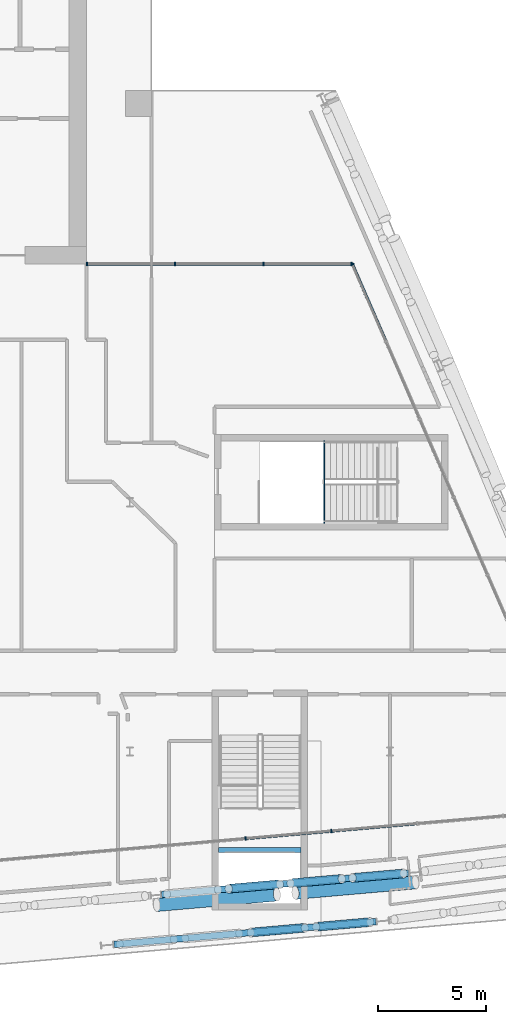
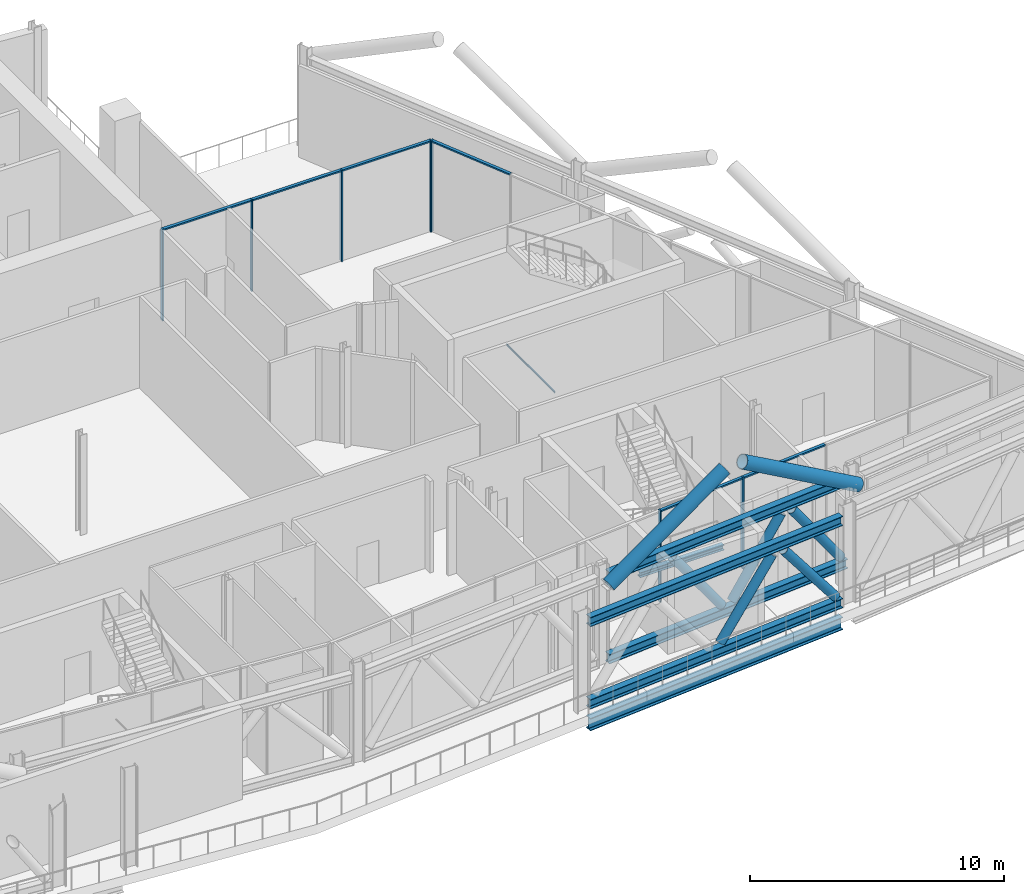
# One storey, part 8 of 35: 24 members, 3 beams, 3 elements without a shape of their own.
"""IFC4 building model written with IfcOpenShell, lengths in metres."""

from ifc_helpers import new_model, si_unit, direction, frame, origin, origin_2d, place, context, subcontext, project, spatial, rectangle, hollow_circle, i_section, extrude, material, material_profile, profile_set, type_object, element, aggregate, save


model = new_model("IFC4")

# Units and contexts
model_context = context("Model", 3, precision=1e-05, world=origin(), true_north=direction((0.0, 1.0)))
body_context = subcontext(model_context, "Body", "Model", "MODEL_VIEW")
ifc_project = project(units=[si_unit("LENGTHUNIT", "METRE"), si_unit("AREAUNIT", "SQUARE_METRE"), si_unit("VOLUMEUNIT", "CUBIC_METRE"), si_unit("PLANEANGLEUNIT", "RADIAN"), si_unit("MASSUNIT", "GRAM", prefix="KILO")], contexts=[model_context])

# Site, building, storey
site_placement = place(None, origin())
site = spatial("IfcSite", under=ifc_project, at=site_placement, CompositionType="ELEMENT")
building_placement = place(site_placement, origin())
building = spatial("IfcBuilding", under=site, at=building_placement, Name="Wharfspan Tower", CompositionType="ELEMENT")
storey_placement = place(building_placement, frame((0.0, 0.0, 202.300049)))
storey = spatial("IfcBuildingStorey", under=building, at=storey_placement, Name="L50", CompositionType="ELEMENT", Elevation=202.300049)

# Beams
ifc_material_1 = material(Name="Steel S355J2", Category="steel")
ifc_material_profile_1 = material_profile(ifc_material_1, i_section(OverallWidth=0.300049, OverallDepth=0.600098, WebThickness=0.015381, FlangeThickness=0.030029, FilletRadius=0.0271, at=origin_2d()))
ifc_profile_set_1 = profile_set([ifc_material_profile_1], Name="Steel S355J2")
beam_type_1 = type_object("IfcBeamType", Name="Edge beam HEB 600", PredefinedType="SPANDREL", material=ifc_profile_set_1)
beam_1_placement = place(storey_placement, frame((59.265625, 2.600342, -0.75), z_axis=(0.996195, 0.087155, 0.0), x_axis=(-0.087155, 0.996195, 0.0)))
element("IfcBeam", 1, at=beam_1_placement, inside=storey, type_object=beam_type_1, Name="Edge beam S2 L50 PS2.1 to PS2.2", PredefinedType="SPANDREL", context=body_context, shape_type="SweptSolid", body=[
    extrude(i_section(OverallWidth=0.300049, OverallDepth=0.600098, WebThickness=0.015381, FlangeThickness=0.030029, FilletRadius=0.0271, at=origin_2d()), origin(), (0.0, 0.0, 1.0), 12.137695),
])
ifc_material_profile_2 = material_profile(ifc_material_1, i_section(OverallWidth=0.045898, OverallDepth=0.080078, WebThickness=0.003906, FlangeThickness=0.005127, FilletRadius=0.004883, at=origin_2d()))
ifc_profile_set_2 = profile_set([ifc_material_profile_2], Name="Steel S355J2")
beam_type_2 = type_object("IfcBeamType", Name="Flight foot beam IPE 80", PredefinedType="BEAM", material=ifc_profile_set_2)
beam_2_placement = place(storey_placement, frame((68.969482, 25.829102, -0.040039), z_axis=(0.0, -1.0, 0.0), x_axis=(1.0, 0.0, 0.0)))
element("IfcBeam", 2, at=beam_2_placement, inside=storey, type_object=beam_type_2, Name="Flight foot beam", PredefinedType="BEAM", context=body_context, shape_type="SweptSolid", body=[
    extrude(i_section(OverallWidth=0.045898, OverallDepth=0.080078, WebThickness=0.003906, FlangeThickness=0.005127, FilletRadius=0.004883, at=origin_2d()), origin(), (0.0, 0.0, 1.0), 3.808105),
])
ifc_material_profile_3 = material_profile(ifc_material_1, i_section(OverallWidth=0.23999, OverallDepth=0.23999, WebThickness=0.01001, FlangeThickness=0.01709, FilletRadius=0.020996, at=origin_2d()))
ifc_profile_set_3 = profile_set([ifc_material_profile_3], Name="Steel S355J2")
beam_type_3 = type_object("IfcBeamType", Name="Landing edge beam HEB 240", PredefinedType="BEAM", material=ifc_profile_set_3)
beam_3_placement = place(storey_placement, frame((64.08252, 6.966309, 2.079834), z_axis=(1.0, 0.0, 0.0), x_axis=(0.0, 1.0, 0.0)))
element("IfcBeam", 3, at=beam_3_placement, inside=storey, type_object=beam_type_3, Name="Landing edge beam", PredefinedType="BEAM", context=body_context, shape_type="SweptSolid", body=[
    extrude(i_section(OverallWidth=0.23999, OverallDepth=0.23999, WebThickness=0.01001, FlangeThickness=0.01709, FilletRadius=0.020996, at=origin_2d()), origin(), (0.0, 0.0, 1.0), 3.815186),
])

# Curtain wall, members
ifc_material_2 = material(Name="Aluminium 6063-T6", Category="aluminium")
curtain_wall_type = type_object("IfcCurtainWallType", Name="CURTAIN WALL BAND RECESS", PredefinedType="NOTDEFINED", material=ifc_material_2)
curtain_wall_1_placement = place(storey_placement, origin())
curtain_wall_1 = element("IfcCurtainWall", 4, at=curtain_wall_1_placement, inside=storey, type_object=curtain_wall_type, Name="Recess glazing R3", PredefinedType="NOTDEFINED")
ifc_material_profile_4 = material_profile(ifc_material_2, rectangle(XDim=0.159912, YDim=0.060059, at=origin_2d()))
ifc_profile_set_4 = profile_set([ifc_material_profile_4], Name="Aluminium 6063-T6")
member_type_1 = type_object("IfcMemberType", Name="MULLION BAND RECESS 60x160", PredefinedType="MULLION", material=ifc_profile_set_4)
member_1_placement = place(storey_placement, frame((58.030029, 34.0, 0.0), z_axis=(0.0, 0.0, 1.0), x_axis=(0.0, 1.0, 0.0)))
member_1 = element("IfcMember", 5, at=member_1_placement, type_object=member_type_1, Name="Recess glazing R3 mullion 1", PredefinedType="MULLION", context=body_context, shape_type="SweptSolid", body=[
    extrude(rectangle(XDim=0.159912, YDim=0.060059, at=origin_2d()), origin(), (0.0, 0.0, 1.0), 4.399902),
])
member_2_placement = place(storey_placement, frame((62.083984, 34.0, 0.0), z_axis=(0.0, 0.0, 1.0), x_axis=(0.0, 1.0, 0.0)))
member_2 = element("IfcMember", 6, at=member_2_placement, type_object=member_type_1, Name="Recess glazing R3 mullion 2", PredefinedType="MULLION", context=body_context, shape_type="SweptSolid", body=[
    extrude(rectangle(XDim=0.159912, YDim=0.060059, at=origin_2d()), origin(), (0.0, 0.0, 1.0), 4.399902),
])
member_3_placement = place(storey_placement, frame((66.167969, 34.0, 0.0), z_axis=(0.0, 0.0, 1.0), x_axis=(0.0, 1.0, 0.0)))
member_3 = element("IfcMember", 7, at=member_3_placement, type_object=member_type_1, Name="Recess glazing R3 mullion 3", PredefinedType="MULLION", context=body_context, shape_type="SweptSolid", body=[
    extrude(rectangle(XDim=0.159912, YDim=0.060059, at=origin_2d()), origin(), (0.0, 0.0, 1.0), 4.399902),
])
member_4_placement = place(storey_placement, frame((70.221924, 34.0, 0.0), z_axis=(0.0, 0.0, 1.0), x_axis=(0.0, 1.0, 0.0)))
member_4 = element("IfcMember", 8, at=member_4_placement, type_object=member_type_1, Name="Recess glazing R3 mullion 4", PredefinedType="MULLION", context=body_context, shape_type="SweptSolid", body=[
    extrude(rectangle(XDim=0.159912, YDim=0.060059, at=origin_2d()), origin(), (0.0, 0.0, 1.0), 4.399902),
])

# Curtain wall, member
curtain_wall_2_placement = place(storey_placement, origin())
curtain_wall_2 = element("IfcCurtainWall", 9, at=curtain_wall_2_placement, inside=storey, type_object=curtain_wall_type, Name="Recess glazing R4", PredefinedType="NOTDEFINED")
member_5_placement = place(storey_placement, frame((70.263916, 33.972412, 0.0), z_axis=(0.0, 0.0, 1.0), x_axis=(0.917072, 0.398727, 0.0)))
member_5 = element("IfcMember", 10, at=member_5_placement, type_object=member_type_1, Name="Recess glazing R4 mullion 1", PredefinedType="MULLION", context=body_context, shape_type="SweptSolid", body=[
    extrude(rectangle(XDim=0.159912, YDim=0.060059, at=origin_2d()), origin(), (0.0, 0.0, 1.0), 4.399902),
])

# Curtain wall, members
curtain_wall_3_placement = place(storey_placement, origin())
curtain_wall_3 = element("IfcCurtainWall", 11, at=curtain_wall_3_placement, inside=storey, type_object=curtain_wall_type, Name="Recess glazing R5", PredefinedType="NOTDEFINED")
member_6_placement = place(storey_placement, frame((69.297363, 7.836182, 0.0), z_axis=(0.0, 0.0, 1.0), x_axis=(0.087156, -0.996198, 0.0)))
member_6 = element("IfcMember", 12, at=member_6_placement, type_object=member_type_1, Name="Recess glazing R5 mullion 4", PredefinedType="MULLION", context=body_context, shape_type="SweptSolid", body=[
    extrude(rectangle(XDim=0.159912, YDim=0.060059, at=origin_2d()), origin(), (0.0, 0.0, 1.0), 4.399902),
])
member_7_placement = place(storey_placement, frame((65.337891, 7.489746, 0.0), z_axis=(0.0, 0.0, 1.0), x_axis=(0.087156, -0.996198, 0.0)))
member_7 = element("IfcMember", 13, at=member_7_placement, type_object=member_type_1, Name="Recess glazing R5 mullion 5", PredefinedType="MULLION", context=body_context, shape_type="SweptSolid", body=[
    extrude(rectangle(XDim=0.159912, YDim=0.060059, at=origin_2d()), origin(), (0.0, 0.0, 1.0), 4.399902),
])

# Members
ifc_material_3 = material(Name="Steel S460NH", Category="steel")
ifc_material_profile_5 = material_profile(ifc_material_3, hollow_circle(Radius=0.304932, WallThickness=0.024902, at=origin_2d()))
ifc_profile_set_5 = profile_set([ifc_material_profile_5], Name="Steel S460NH")
member_type_2 = type_object("IfcMemberType", Name="Mega brace CHS 610x25", PredefinedType="BRACE", material=ifc_profile_set_5)
for number, where, z_axis, x_axis, name in (
    (14, (61.241943, 4.426025, 4.099854), (0.853829, 0.074698, 0.515166), (-0.087155, 0.996197, 3e-06), "Mega brace S2 L51 part 1"),
    (15, (73.175049, 5.469971, 4.099854), (-0.853829, -0.074698, 0.515166), (0.087155, -0.996197, 3e-06), "Mega brace S2 L51 part 3"),
):
    element("IfcMember", number, at=place(storey_placement, frame(where, z_axis=z_axis, x_axis=x_axis)), inside=storey, type_object=member_type_2, Name=name, PredefinedType="BRACE", context=body_context, shape_type="SweptSolid", body=[
        extrude(hollow_circle(Radius=0.304932, WallThickness=0.024902, at=origin_2d()), origin(), (0.0, 0.0, 1.0), 6.484375),
    ])

# Member
ifc_material_profile_6 = material_profile(ifc_material_2, rectangle(XDim=0.139893, YDim=0.070068, at=origin_2d()))
ifc_profile_set_6 = profile_set([ifc_material_profile_6], Name="Aluminium 6063-T6")
member_type_3 = type_object("IfcMemberType", Name="TRANSOM BAND RECESS 70x140", PredefinedType="USERDEFINED", material=ifc_profile_set_6)
member_8_placement = place(storey_placement, frame((58.060059, 34.0, 4.36499), z_axis=(1.0, 0.0, 0.0), x_axis=(0.0, 1.0, 0.0)))
member_8 = element("IfcMember", 16, at=member_8_placement, type_object=member_type_3, Name="Recess glazing R3 transom 1", ObjectType="TRANSOM", PredefinedType="USERDEFINED", context=body_context, shape_type="SweptSolid", body=[
    extrude(rectangle(XDim=0.139893, YDim=0.070068, at=origin_2d()), origin(), (0.0, 0.0, 1.0), 3.993896),
])

member_9_placement = place(storey_placement, frame((62.114014, 34.0, 4.36499), z_axis=(1.0, 0.0, 0.0), x_axis=(0.0, 1.0, 0.0)))
member_9 = element("IfcMember", 17, at=member_9_placement, type_object=member_type_3, Name="Recess glazing R3 transom 2", ObjectType="TRANSOM", PredefinedType="USERDEFINED", context=body_context, shape_type="SweptSolid", body=[
    extrude(rectangle(XDim=0.139893, YDim=0.070068, at=origin_2d()), origin(), (0.0, 0.0, 1.0), 4.023926),
])

member_10_placement = place(storey_placement, frame((66.197998, 34.0, 4.36499), z_axis=(1.0, 0.0, 0.0), x_axis=(0.0, 1.0, 0.0)))
member_10 = element("IfcMember", 18, at=member_10_placement, type_object=member_type_3, Name="Recess glazing R3 transom 3", ObjectType="TRANSOM", PredefinedType="USERDEFINED", context=body_context, shape_type="SweptSolid", body=[
    extrude(rectangle(XDim=0.139893, YDim=0.070068, at=origin_2d()), origin(), (0.0, 0.0, 1.0), 3.993896),
])

aggregate(curtain_wall_1, [member_1, member_2, member_3, member_4, member_8, member_9, member_10])

member_11_placement = place(storey_placement, frame((70.275879, 33.945068, 4.36499), z_axis=(0.398714, -0.917075, 0.0), x_axis=(0.917075, 0.398714, 0.0)))
member_11 = element("IfcMember", 19, at=member_11_placement, type_object=member_type_3, Name="Recess glazing R4 transom 1", ObjectType="TRANSOM", PredefinedType="USERDEFINED", context=body_context, shape_type="SweptSolid", body=[
    extrude(rectangle(XDim=0.139893, YDim=0.070068, at=origin_2d()), origin(), (0.0, 0.0, 1.0), 3.823975),
])

aggregate(curtain_wall_2, [member_5, member_11])

member_12_placement = place(storey_placement, frame((73.226807, 8.179932, 4.36499), z_axis=(-0.996192, -0.087189, 0.0), x_axis=(0.087189, -0.996192, 0.0)))
member_12 = element("IfcMember", 20, at=member_12_placement, type_object=member_type_3, Name="Recess glazing R5 transom 3", ObjectType="TRANSOM", PredefinedType="USERDEFINED", context=body_context, shape_type="SweptSolid", body=[
    extrude(rectangle(XDim=0.139893, YDim=0.070068, at=origin_2d()), origin(), (0.0, 0.0, 1.0), 3.914551),
])

member_13_placement = place(storey_placement, frame((69.267334, 7.833496, 4.36499), z_axis=(-0.996197, -0.087127, 0.0), x_axis=(0.087127, -0.996197, 0.0)))
member_13 = element("IfcMember", 21, at=member_13_placement, type_object=member_type_3, Name="Recess glazing R5 transom 4", ObjectType="TRANSOM", PredefinedType="USERDEFINED", context=body_context, shape_type="SweptSolid", body=[
    extrude(rectangle(XDim=0.139893, YDim=0.070068, at=origin_2d()), origin(), (0.0, 0.0, 1.0), 3.914551),
])

aggregate(curtain_wall_3, [member_6, member_7, member_12, member_13])

# Members
ifc_material_profile_7 = material_profile(ifc_material_1, i_section(OverallWidth=0.300049, OverallDepth=0.449951, WebThickness=0.013916, FlangeThickness=0.025879, FilletRadius=0.0271, at=origin_2d()))
ifc_profile_set_7 = profile_set([ifc_material_profile_7], Name="Steel S355J2")
member_type_4 = type_object("IfcMemberType", Name="Truss chord HEB 450", PredefinedType="CHORD", material=ifc_profile_set_7)
for number, where, z_axis, x_axis, name in (
    (22, (61.463379, 4.9021, 4.175049), (0.996195, 0.087153, 0.0), (-0.087153, 0.996195, 0.0), "Belt truss chord T L50 S2 PS2.1 to PS2.2"),
    (23, (61.463379, 4.9021, 0.224854), (0.996195, 0.087153, 0.0), (-0.087153, 0.996195, 0.0), "Belt truss chord B L50 S2 PS2.1 to PS2.2"),
):
    element("IfcMember", number, at=place(storey_placement, frame(where, z_axis=z_axis, x_axis=x_axis)), inside=storey, type_object=member_type_4, Name=name, PredefinedType="CHORD", context=body_context, shape_type="SweptSolid", body=[
        extrude(i_section(OverallWidth=0.300049, OverallDepth=0.449951, WebThickness=0.013916, FlangeThickness=0.025879, FilletRadius=0.0271, at=origin_2d()), origin(), (0.0, 0.0, 1.0), 11.45459),
    ])
for number, where, z_axis, x_axis, name in (
    (24, (59.269531, 2.600586, 4.175049), (0.996195, 0.087152, 0.0), (-0.087152, 0.996195, 0.0), "Belt truss chord T L50 S2 PS2.1.S to PS2.2.S"),
    (25, (59.269531, 2.600586, 0.224854), (0.996195, 0.087152, 0.0), (-0.087152, 0.996195, 0.0), "Belt truss chord B L50 S2 PS2.1.S to PS2.2.S"),
):
    element("IfcMember", number, at=place(storey_placement, frame(where, z_axis=z_axis, x_axis=x_axis)), inside=storey, type_object=member_type_4, Name=name, PredefinedType="CHORD", context=body_context, shape_type="SweptSolid", body=[
        extrude(i_section(OverallWidth=0.300049, OverallDepth=0.449951, WebThickness=0.013916, FlangeThickness=0.025879, FilletRadius=0.0271, at=origin_2d()), origin(), (0.0, 0.0, 1.0), 12.129639),
    ])
ifc_material_profile_8 = material_profile(ifc_material_3, hollow_circle(Radius=0.203125, WallThickness=0.016113, at=origin_2d()))
ifc_profile_set_8 = profile_set([ifc_material_profile_8], Name="Steel S460NH")
member_type_5 = type_object("IfcMemberType", Name="Truss diagonal CHS 406.4x16", PredefinedType="BRACE", material=ifc_profile_set_8)
for number, where, z_axis, x_axis, name in (
    (26, (64.564697, 5.173584, 3.830566), (0.584746, 0.051153, -0.809602), (-0.087142, 0.996195, 3e-06), "Belt truss diagonal L50 S2 PS2.1 to PS2.2 2"),
    (27, (67.41748, 5.423096, 0.569336), (0.584746, 0.051153, 0.809602), (-0.087142, 0.996195, -3e-06), "Belt truss diagonal L50 S2 PS2.1 to PS2.2 3"),
    (28, (70.270264, 5.672607, 3.830566), (0.584746, 0.051153, -0.809602), (-0.087142, 0.996195, 3e-06), "Belt truss diagonal L50 S2 PS2.1 to PS2.2 4"),
):
    element("IfcMember", number, at=place(storey_placement, frame(where, z_axis=z_axis, x_axis=x_axis)), inside=storey, type_object=member_type_5, Name=name, PredefinedType="BRACE", context=body_context, shape_type="SweptSolid", body=[
        extrude(hollow_circle(Radius=0.203125, WallThickness=0.016113, at=origin_2d()), origin(), (0.0, 0.0, 1.0), 4.028076),
    ])
for number, where, z_axis, x_axis, name in (
    (29, (65.578125, 3.152588, 0.57373), (0.606617, 0.053052, 0.793222), (-0.087123, 0.996198, 0.0), "Belt truss diagonal L50 S2 PS2.1.S to PS2.2.S 3"),
    (30, (68.598877, 3.416748, 3.826172), (0.606652, 0.05311, -0.793191), (-0.087214, 0.996192, -1e-06), "Belt truss diagonal L50 S2 PS2.1.S to PS2.2.S 4"),
):
    element("IfcMember", number, at=place(storey_placement, frame(where, z_axis=z_axis, x_axis=x_axis)), inside=storey, type_object=member_type_5, Name=name, PredefinedType="BRACE", context=body_context, shape_type="SweptSolid", body=[
        extrude(hollow_circle(Radius=0.203125, WallThickness=0.016113, at=origin_2d()), origin(), (0.0, 0.0, 1.0), 4.100342),
    ])

save(model, "model.ifc")
